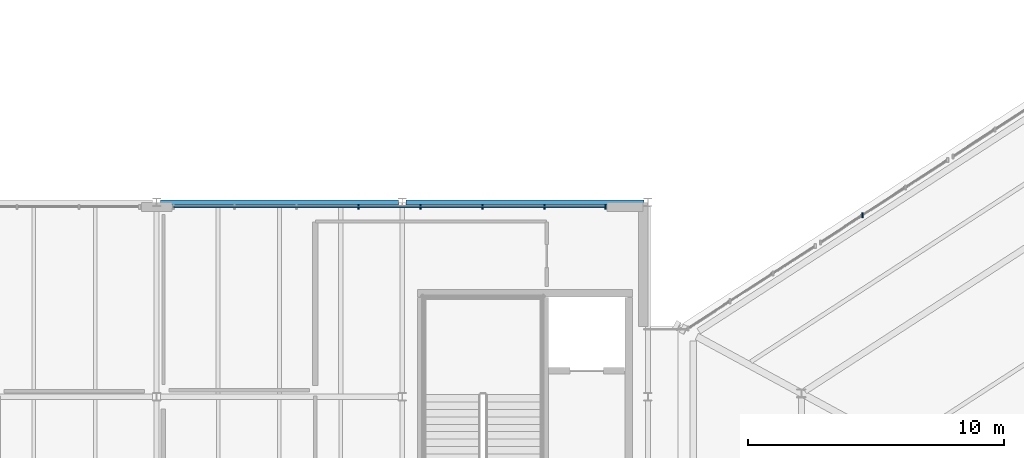
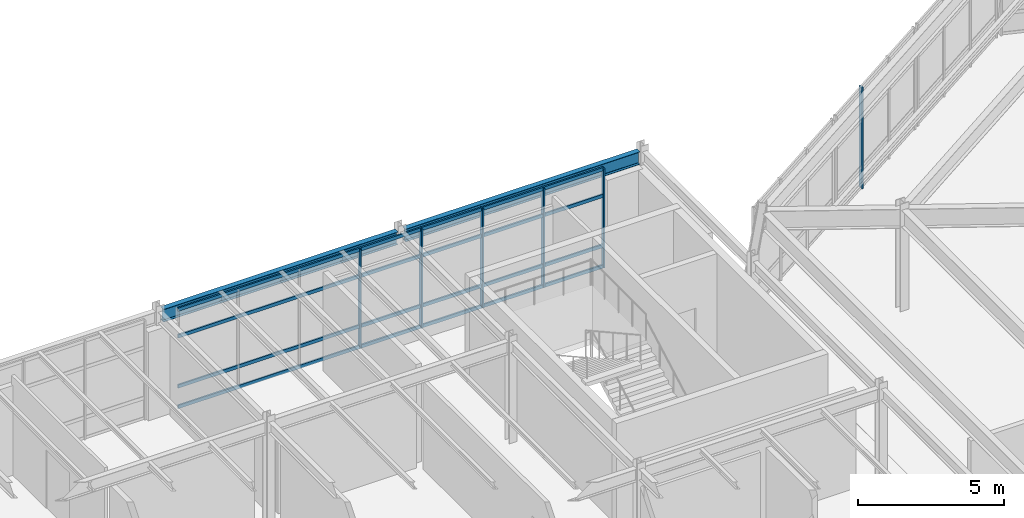
# One storey, part 31 of 69: 10 members, 2 beams, 2 elements without a shape of their own.
"""IFC4 building model written with IfcOpenShell, lengths in metres."""

from ifc_helpers import new_model, si_unit, direction, frame, origin, origin_2d, place, context, subcontext, project, spatial, rectangle, i_section, extrude, material, material_profile, profile_set, type_object, element, aggregate, save


model = new_model("IFC4")

# Units and contexts
model_context = context("Model", 3, precision=1e-05, world=origin(), true_north=direction((0.0, 1.0)))
body_context = subcontext(model_context, "Body", "Model", "MODEL_VIEW")
ifc_project = project(units=[si_unit("LENGTHUNIT", "METRE"), si_unit("AREAUNIT", "SQUARE_METRE"), si_unit("VOLUMEUNIT", "CUBIC_METRE"), si_unit("PLANEANGLEUNIT", "RADIAN"), si_unit("MASSUNIT", "GRAM", prefix="KILO")], contexts=[model_context])

# Site, building, storey
site_placement = place(None, origin())
site = spatial("IfcSite", under=ifc_project, at=site_placement, CompositionType="ELEMENT")
building_placement = place(site_placement, origin())
building = spatial("IfcBuilding", under=site, at=building_placement, Name="Sarnbrook Museum", CompositionType="ELEMENT")
storey_placement = place(building_placement, frame((0.0, 0.0, 14.60009765625)))
storey = spatial("IfcBuildingStorey", under=building, at=storey_placement, Name="L03", CompositionType="ELEMENT", Elevation=14.60009765625)

# Beams
ifc_material_1 = material(Name="Structural Steel Grade 300PLUS (AS/NZS 3679.1, fy = 280 MPa for 17 < t <= 40 mm, 300 MPa for t <= 17 mm)", Category="steel")
ifc_material_profile_1 = material_profile(ifc_material_1, i_section(OverallWidth=0.208984375, OverallDepth=0.532958984375, WebThickness=0.01025390625, FlangeThickness=0.015625, FilletRadius=0.013916015625, at=origin_2d()), Name="530UB92.4")
ifc_profile_set_1 = profile_set([ifc_material_profile_1], Name="Structural Steel Grade 300PLUS (AS/NZS 3679.1, fy = 280 MPa for 17 < t <= 40 mm, 300 MPa for t <= 17 mm)")
beam_type = type_object("IfcBeamType", Name="BM-UB530", PredefinedType="BEAM", material=ifc_profile_set_1)
for number, where, z_axis, x_axis, name in (
    (1, (100.153564453125, 108.39990234375, 3.9833984375), (1.0, 0.0, 0.0), (0.0, 1.0, 0.0), "Girder N:11-12 L03"),
    (2, (109.75341796875, 108.39990234375, 3.9833984375), (1.0, 0.0, 0.0), (0.0, 1.0, 0.0), "Girder N:12-13 L03"),
):
    element("IfcBeam", number, at=place(storey_placement, frame(where, z_axis=z_axis, x_axis=x_axis)), inside=storey, type_object=beam_type, Name=name, PredefinedType="BEAM", context=body_context, shape_type="SweptSolid", body=[
        extrude(i_section(OverallWidth=0.208984375, OverallDepth=0.532958984375, WebThickness=0.01025390625, FlangeThickness=0.015625, FilletRadius=0.013916015625, at=origin_2d()), origin(), (0.0, 0.0, 1.0), 9.29296875),
    ])

# Curtain wall, members
ifc_material_2 = material(Name="Thermally Broken Anodised Aluminium 6063-T6", Category="aluminium")
curtain_wall_type_1 = type_object("IfcCurtainWallType", Name="CurtainWall_GalleryRibbon", PredefinedType="NOTDEFINED", material=ifc_material_2)
curtain_wall_1_placement = place(storey_placement, origin())
curtain_wall_1 = element("IfcCurtainWall", 3, at=curtain_wall_1_placement, inside=storey, type_object=curtain_wall_type_1, Name="Gallery Ribbon Curtain Wall L03-6.1", PredefinedType="NOTDEFINED")
ifc_material_profile_2 = material_profile(ifc_material_2, rectangle(XDim=0.06005859375, YDim=0.159912109375, at=origin_2d()), Name="ALU MULLION 60x160")
ifc_profile_set_2 = profile_set([ifc_material_profile_2], Name="Thermally Broken Anodised Aluminium 6063-T6")
member_type_1 = type_object("IfcMemberType", Name="CW_Mullion_150x65", PredefinedType="MULLION", material=ifc_profile_set_2)
member_1_placement = place(storey_placement, frame((117.5400390625, 108.219970703125, 0.0), z_axis=(0.0, 0.0, 1.0), x_axis=(1.0, 0.0, 0.0)))
member_1 = element("IfcMember", 4, at=member_1_placement, type_object=member_type_1, Name="Gallery Ribbon Curtain Wall L03-6.1 Mullion 1", PredefinedType="MULLION", context=body_context, shape_type="SweptSolid", body=[
    extrude(rectangle(XDim=0.06005859375, YDim=0.159912109375, at=origin_2d()), origin(), (0.0, 0.0, 1.0), 4.159912109375),
])
member_2_placement = place(storey_placement, frame((115.156982421875, 108.219970703125, 0.0), z_axis=(0.0, 0.0, 1.0), x_axis=(1.0, 0.0, 0.0)))
member_2 = element("IfcMember", 5, at=member_2_placement, type_object=member_type_1, Name="Gallery Ribbon Curtain Wall L03-6.1 Mullion 2", PredefinedType="MULLION", context=body_context, shape_type="SweptSolid", body=[
    extrude(rectangle(XDim=0.06005859375, YDim=0.159912109375, at=origin_2d()), origin(), (0.0, 0.0, 1.0), 4.159912109375),
])
member_3_placement = place(storey_placement, frame((112.734375, 108.219970703125, 0.0), z_axis=(0.0, 0.0, 1.0), x_axis=(1.0, 0.0, 0.0)))
member_3 = element("IfcMember", 6, at=member_3_placement, type_object=member_type_1, Name="Gallery Ribbon Curtain Wall L03-6.1 Mullion 3", PredefinedType="MULLION", context=body_context, shape_type="SweptSolid", body=[
    extrude(rectangle(XDim=0.06005859375, YDim=0.159912109375, at=origin_2d()), origin(), (0.0, 0.0, 1.0), 4.159912109375),
])
member_4_placement = place(storey_placement, frame((110.311279296875, 108.219970703125, 0.0), z_axis=(0.0, 0.0, 1.0), x_axis=(1.0, 0.0, 0.0)))
member_4 = element("IfcMember", 7, at=member_4_placement, type_object=member_type_1, Name="Gallery Ribbon Curtain Wall L03-6.1 Mullion 4", PredefinedType="MULLION", context=body_context, shape_type="SweptSolid", body=[
    extrude(rectangle(XDim=0.06005859375, YDim=0.159912109375, at=origin_2d()), origin(), (0.0, 0.0, 1.0), 4.159912109375),
])
member_5_placement = place(storey_placement, frame((107.888671875, 108.219970703125, 0.0), z_axis=(0.0, 0.0, 1.0), x_axis=(1.0, 0.0, 0.0)))
member_5 = element("IfcMember", 8, at=member_5_placement, type_object=member_type_1, Name="Gallery Ribbon Curtain Wall L03-6.1 Mullion 5", PredefinedType="MULLION", context=body_context, shape_type="SweptSolid", body=[
    extrude(rectangle(XDim=0.06005859375, YDim=0.159912109375, at=origin_2d()), origin(), (0.0, 0.0, 1.0), 4.159912109375),
])

# Curtain wall, member
curtain_wall_type_2 = type_object("IfcCurtainWallType", Name="CurtainWall_CrystalFacet", PredefinedType="NOTDEFINED", material=ifc_material_2)
curtain_wall_2_placement = place(storey_placement, origin())
curtain_wall_2 = element("IfcCurtainWall", 9, at=curtain_wall_2_placement, inside=storey, type_object=curtain_wall_type_2, Name="Crystal Hall Facet Curtain Wall L03-F6.2", PredefinedType="NOTDEFINED")
ifc_material_profile_3 = material_profile(ifc_material_2, rectangle(XDim=0.06494140625, YDim=0.179931640625, at=origin_2d()), Name="ALU MULLION 65x180")
ifc_profile_set_3 = profile_set([ifc_material_profile_3], Name="Thermally Broken Anodised Aluminium 6063-T6")
member_type_2 = type_object("IfcMemberType", Name="CW_Mullion_180x75", PredefinedType="MULLION", material=ifc_profile_set_3)
member_6_placement = place(storey_placement, frame((127.589599609375, 107.898193359375, 0.0), z_axis=(0.0, 0.0, 1.0), x_axis=(1.0, 0.0, 0.0)))
member_6 = element("IfcMember", 10, at=member_6_placement, type_object=member_type_2, Name="Crystal Hall Facet Curtain Wall L03-F6.2 Mullion 3", PredefinedType="MULLION", context=body_context, shape_type="SweptSolid", body=[
    extrude(rectangle(XDim=0.06494140625, YDim=0.179931640625, at=origin_2d()), origin(), (0.0, 0.0, 1.0), 4.239990234375),
])
aggregate(curtain_wall_2, [member_6])

# Member
ifc_material_profile_4 = material_profile(ifc_material_2, rectangle(XDim=0.06494140625, YDim=0.139892578125, at=origin_2d()), Name="ALU TRANSOM 65x140")
ifc_profile_set_4 = profile_set([ifc_material_profile_4], Name="Thermally Broken Anodised Aluminium 6063-T6")
member_type_3 = type_object("IfcMemberType", Name="CW_Transom_150x65", PredefinedType="USERDEFINED", material=ifc_profile_set_4)
member_7_placement = place(storey_placement, frame((117.530029296875, 108.219970703125, 0.039794921875), z_axis=(-1.0, 0.0, 0.0), x_axis=(0.0, -1.0, 0.0)))
member_7 = element("IfcMember", 11, at=member_7_placement, type_object=member_type_3, Name="Gallery Ribbon Curtain Wall L03-6.1 Transom 1", ObjectType="TRANSOM", PredefinedType="USERDEFINED", context=body_context, shape_type="SweptSolid", body=[
    extrude(rectangle(XDim=0.06494140625, YDim=0.139892578125, at=origin_2d()), origin(), (0.0, 0.0, 1.0), 16.860107421875),
])

member_8_placement = place(storey_placement, frame((117.530029296875, 108.219970703125, 0.89990234375), z_axis=(-1.0, 0.0, 0.0), x_axis=(0.0, -1.0, 0.0)))
member_8 = element("IfcMember", 12, at=member_8_placement, type_object=member_type_3, Name="Gallery Ribbon Curtain Wall L03-6.1 Transom 2", ObjectType="TRANSOM", PredefinedType="USERDEFINED", context=body_context, shape_type="SweptSolid", body=[
    extrude(rectangle(XDim=0.06494140625, YDim=0.139892578125, at=origin_2d()), origin(), (0.0, 0.0, 1.0), 16.860107421875),
])

member_9_placement = place(storey_placement, frame((117.530029296875, 108.219970703125, 3.0), z_axis=(-1.0, 0.0, 0.0), x_axis=(0.0, -1.0, 0.0)))
member_9 = element("IfcMember", 13, at=member_9_placement, type_object=member_type_3, Name="Gallery Ribbon Curtain Wall L03-6.1 Transom 3", ObjectType="TRANSOM", PredefinedType="USERDEFINED", context=body_context, shape_type="SweptSolid", body=[
    extrude(rectangle(XDim=0.06494140625, YDim=0.139892578125, at=origin_2d()), origin(), (0.0, 0.0, 1.0), 16.860107421875),
])

member_10_placement = place(storey_placement, frame((117.530029296875, 108.219970703125, 4.119873046875), z_axis=(-1.0, 0.0, 0.0), x_axis=(0.0, -1.0, 0.0)))
member_10 = element("IfcMember", 14, at=member_10_placement, type_object=member_type_3, Name="Gallery Ribbon Curtain Wall L03-6.1 Transom 4", ObjectType="TRANSOM", PredefinedType="USERDEFINED", context=body_context, shape_type="SweptSolid", body=[
    extrude(rectangle(XDim=0.06494140625, YDim=0.139892578125, at=origin_2d()), origin(), (0.0, 0.0, 1.0), 16.860107421875),
])

aggregate(curtain_wall_1, [member_1, member_2, member_3, member_4, member_5, member_7, member_8, member_9, member_10])

save(model, "model.ifc")
